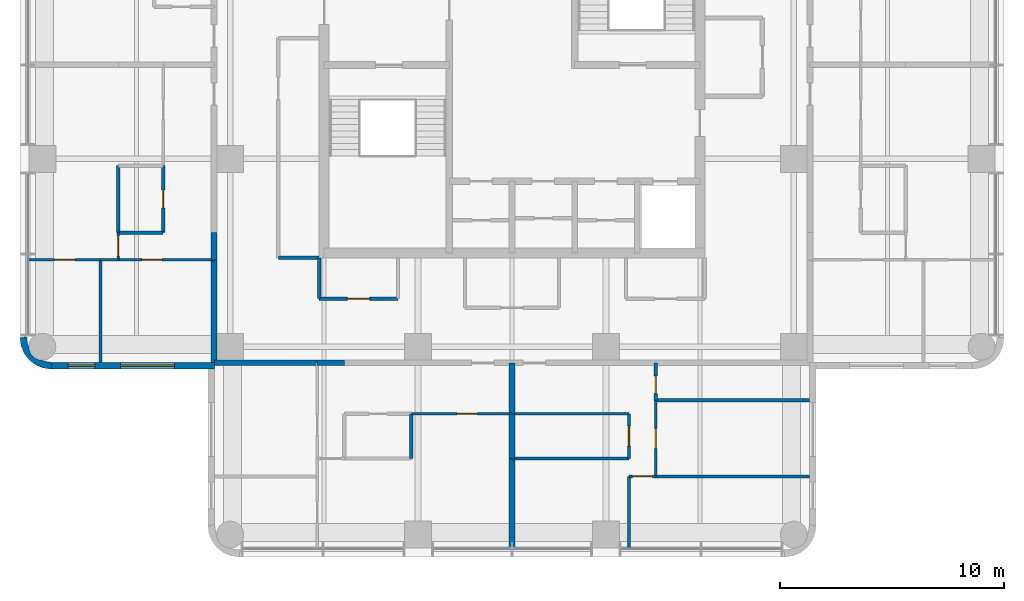
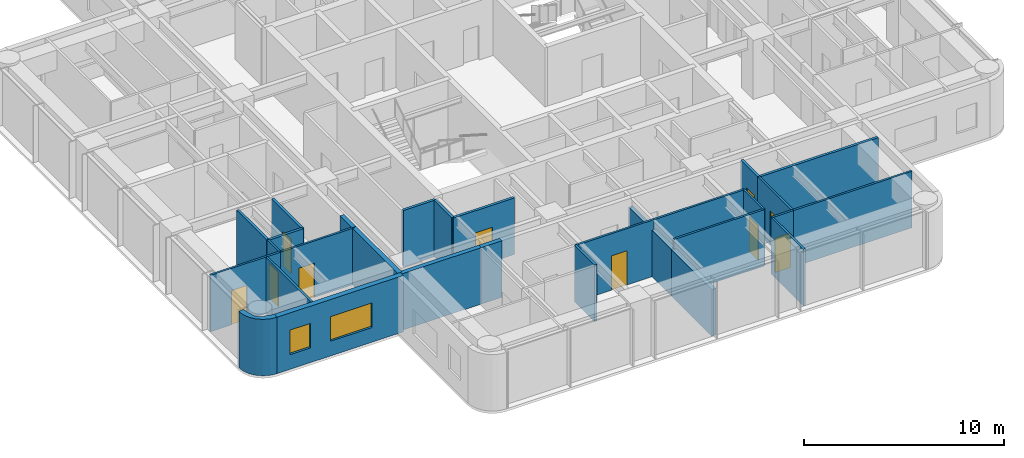
# One storey, part 4 of 10: 31 walls, 10 doors, 2 windows, 12 openings.
"""IFC4 building model written with IfcOpenShell, lengths in metres."""

from ifc_helpers import new_model, si_unit, direction, frame, frame_2d, origin, place, context, subcontext, project, spatial, polyline, rectangle, outline, extrude, material, layer, layer_set, type_object, element, fill, save


model = new_model("IFC4")

# Units and contexts
model_context = context("Model", 3, precision=1e-05, world=origin(), true_north=direction((0.0, 1.0)))
body_context = subcontext(model_context, "Body", "Model", "MODEL_VIEW")
ifc_project = project(units=[si_unit("LENGTHUNIT", "METRE"), si_unit("AREAUNIT", "SQUARE_METRE"), si_unit("VOLUMEUNIT", "CUBIC_METRE"), si_unit("PLANEANGLEUNIT", "RADIAN"), si_unit("MASSUNIT", "GRAM", prefix="KILO")], contexts=[model_context])

# Site, building, storey
site_placement = place(None, origin())
site = spatial("IfcSite", under=ifc_project, at=site_placement, CompositionType="ELEMENT")
building_placement = place(site_placement, origin())
building = spatial("IfcBuilding", under=site, at=building_placement, Name="Torre Alcanfor", CompositionType="ELEMENT")
storey_placement = place(building_placement, frame((0.0, 0.0, 290.10009765625)))
storey = spatial("IfcBuildingStorey", under=building, at=storey_placement, Name="L76", CompositionType="ELEMENT", Elevation=290.10009765625)

# Walls
ifc_material_1 = material(Name="Concrete block masonry, hollow blocks NMX-C-404 9 MPa", Category="masonry")
ifc_layer_1 = layer(ifc_material_1, 0.25)
ifc_layer_set_1 = layer_set([ifc_layer_1], Name="Apartment entrance wall 250 EI 60")
wall_type_1 = type_object("IfcWallType", Name="Apartment entrance wall 250 EI 60", PredefinedType="PARTITIONING", material=ifc_layer_set_1)
wall_1_placement = place(storey_placement, frame((21.89990234375, 16.074951171875, 0.0), z_axis=(0.0, 0.0, 1.0), x_axis=(-1.0, 0.0, 0.0)))
element("IfcWall", 1, at=wall_1_placement, inside=storey, type_object=wall_type_1, Name="Partition L76-CORR / L76-S2-HALL", PredefinedType="PARTITIONING", context=body_context, shape_type="SweptSolid", body=[
    extrude(rectangle(XDim=1.2138671875, YDim=0.25, at=frame_2d((0.60693359375, 0.0))), origin(), (0.0, 0.0, 1.0), 3.449951171875),
])
wall_2_placement = place(storey_placement, frame((20.68603515625, 16.074951171875, 0.0), z_axis=(0.0, 0.0, 1.0), x_axis=(-1.0, 0.0, 0.0)))
element("IfcWall", 2, at=wall_2_placement, inside=storey, type_object=wall_type_1, Name="Partition L76-CORR / L76-S2-MASTER", PredefinedType="PARTITIONING", context=body_context, shape_type="SweptSolid", body=[
    extrude(rectangle(XDim=4.5859375, YDim=0.25, at=frame_2d((2.29296875, 0.0))), origin(), (0.0, 0.0, 1.0), 3.449951171875),
])
wall_3_placement = place(storey_placement, frame((16.074951171875, 20.68603515625, 0.0), z_axis=(0.0, 0.0, 1.0), x_axis=(0.0, 1.0, 0.0)))
element("IfcWall", 3, at=wall_3_placement, inside=storey, type_object=wall_type_1, Name="Partition L76-CORR / L76-W1-HALL", PredefinedType="PARTITIONING", context=body_context, shape_type="SweptSolid", body=[
    extrude(rectangle(XDim=1.2138671875, YDim=0.25, at=frame_2d((0.60693359375, 0.0))), origin(), (0.0, 0.0, 1.0), 3.449951171875),
])
wall_4_placement = place(storey_placement, frame((16.074951171875, 16.10009765625, 0.0), z_axis=(0.0, 0.0, 1.0), x_axis=(0.0, 1.0, 0.0)))
element("IfcWall", 4, at=wall_4_placement, inside=storey, type_object=wall_type_1, Name="Partition L76-CORR / L76-W1-MASTER", PredefinedType="PARTITIONING", context=body_context, shape_type="SweptSolid", body=[
    extrude(rectangle(XDim=4.5859375, YDim=0.25, at=frame_2d((2.29296875, 0.0))), origin(), (0.0, 0.0, 1.0), 3.449951171875),
])
ifc_material_2 = material(Name="Gypsum board on steel studs", Category="steel")
ifc_layer_2 = layer(ifc_material_2, 0.1201171875)
ifc_layer_set_2 = layer_set([ifc_layer_2], Name="Apartment partition 120")
wall_type_2 = type_object("IfcWallType", Name="Apartment partition 120", PredefinedType="PARTITIONING", material=ifc_layer_set_2)
wall_5_placement = place(storey_placement, frame((29.39990234375, 11.800048828125, 0.0), z_axis=(0.0, 0.0, 1.0), x_axis=(1.0, 0.0, 0.0)))
element("IfcWall", 5, at=wall_5_placement, inside=storey, type_object=wall_type_2, Name="Partition L76-S1-KITCHEN / L76-S1-LIVING", PredefinedType="PARTITIONING", context=body_context, shape_type="SweptSolid", body=[
    extrude(rectangle(XDim=5.22900390625, YDim=0.1201171875, at=frame_2d((2.614501953125, 0.0))), origin(), (0.0, 0.0, 1.0), 3.449951171875),
])

# Wall, opening, door
wall_6_placement = place(storey_placement, frame((34.62890625, 11.800048828125, 0.0), z_axis=(0.0, 0.0, 1.0), x_axis=(0.0, 1.0, 0.0)))
wall_6 = element("IfcWall", 6, at=wall_6_placement, inside=storey, type_object=wall_type_2, Name="Partition L76-S1-KITCHEN / L76-S1-LIVING", PredefinedType="PARTITIONING", context=body_context, shape_type="SweptSolid", body=[
    extrude(rectangle(XDim=2.0, YDim=0.1201171875, at=frame_2d((1.0, 0.0))), origin(), (0.0, 0.0, 1.0), 3.449951171875),
])
opening_1_placement = place(wall_6_placement, frame((0.550048828125, 0.0, 0.0)))
opening_1 = element("IfcOpeningElement", 7, at=opening_1_placement, cuts=wall_6, Name="Opening D-R1", PredefinedType="OPENING", context=body_context, shape_type="SweptSolid", body=[
    extrude(rectangle(XDim=0.89990234375, YDim=2.10009765625, at=frame_2d((0.449951171875, 1.050048828125))), frame((0.0, 0.070068359375, 0.0), z_axis=(0.0, -1.0, 0.0), x_axis=(1.0, 0.0, 0.0)), (0.0, 0.0, 1.0), 0.14013671875),
])
ifc_material_3 = material(Name="Timber", Category="wood")
door_type_1 = type_object("IfcDoorType", Name="Internal door 900x2100", OperationType="SINGLE_SWING_LEFT", PredefinedType="DOOR", material=ifc_material_3)
door_1_placement = place(opening_1_placement, origin())
door_1 = element("IfcDoor", 8, at=door_1_placement, inside=storey, type_object=door_type_1, Name="Door L76-S1 kitchen", OperationType="SINGLE_SWING_LEFT", OverallHeight=2.10009765625, OverallWidth=0.89990234375, PredefinedType="DOOR", context=body_context, shape_type="SweptSolid", body=[
    extrude(rectangle(XDim=0.89990234375, YDim=2.10009765625, at=frame_2d((0.449951171875, 1.050048828125))), frame((0.0, 0.02490234375, 0.0), z_axis=(0.0, -1.0, 0.0), x_axis=(1.0, 0.0, 0.0)), (0.0, 0.0, 1.0), 0.050048828125),
])
fill(opening_1, door_1)

# Wall
wall_7_placement = place(storey_placement, frame((34.62890625, 13.800048828125, 0.0), z_axis=(0.0, 0.0, 1.0), x_axis=(-1.0, 0.0, 0.0)))
element("IfcWall", 9, at=wall_7_placement, inside=storey, type_object=wall_type_2, Name="Partition L76-S1-KITCHEN / L76-S1-LIVING", PredefinedType="PARTITIONING", context=body_context, shape_type="SweptSolid", body=[
    extrude(rectangle(XDim=5.22900390625, YDim=0.1201171875, at=frame_2d((2.614501953125, 0.0))), origin(), (0.0, 0.0, 1.0), 3.449951171875),
])

# Wall, opening, door
wall_8_placement = place(storey_placement, frame((35.8291015625, 14.39990234375, 0.0), z_axis=(0.0, 0.0, 1.0), x_axis=(0.0, -1.0, 0.0)))
wall_8 = element("IfcWall", 10, at=wall_8_placement, inside=storey, type_object=wall_type_2, Name="Partition L76-S1-LIVING / L76-S1-STUDY", PredefinedType="PARTITIONING", context=body_context, shape_type="SweptSolid", body=[
    extrude(rectangle(XDim=3.39990234375, YDim=0.1201171875, at=frame_2d((1.699951171875, 0.0))), origin(), (0.0, 0.0, 1.0), 3.449951171875),
])
opening_2_placement = place(wall_8_placement, frame((1.25, 0.0, 0.0)))
opening_2 = element("IfcOpeningElement", 11, at=opening_2_placement, cuts=wall_8, Name="Opening D-R1", PredefinedType="OPENING", context=body_context, shape_type="SweptSolid", body=[
    extrude(rectangle(XDim=0.89990234375, YDim=2.10009765625, at=frame_2d((0.449951171875, 1.050048828125))), frame((0.0, 0.070068359375, 0.0), z_axis=(0.0, -1.0, 0.0), x_axis=(1.0, 0.0, 0.0)), (0.0, 0.0, 1.0), 0.14013671875),
])
door_2_placement = place(opening_2_placement, origin())
door_2 = element("IfcDoor", 12, at=door_2_placement, inside=storey, type_object=door_type_1, Name="Door L76-S1 study", OperationType="SINGLE_SWING_LEFT", OverallHeight=2.10009765625, OverallWidth=0.89990234375, PredefinedType="DOOR", context=body_context, shape_type="SweptSolid", body=[
    extrude(rectangle(XDim=0.89990234375, YDim=2.10009765625, at=frame_2d((0.449951171875, 1.050048828125))), frame((0.0, 0.02490234375, 0.0), z_axis=(0.0, -1.0, 0.0), x_axis=(1.0, 0.0, 0.0)), (0.0, 0.0, 1.0), 0.050048828125),
])
fill(opening_2, door_2)

wall_9_placement = place(storey_placement, frame((35.8291015625, 11.0, 0.0), z_axis=(0.0, 0.0, 1.0), x_axis=(-1.0, 0.0, 0.0)))
wall_9 = element("IfcWall", 13, at=wall_9_placement, inside=storey, type_object=wall_type_2, Name="Partition L76-S1-LIVING / L76-S1-MASTER", PredefinedType="PARTITIONING", context=body_context, shape_type="SweptSolid", body=[
    extrude(rectangle(XDim=1.2001953125, YDim=0.1201171875, at=frame_2d((0.60009765625, 0.0))), origin(), (0.0, 0.0, 1.0), 3.449951171875),
])
opening_3_placement = place(wall_9_placement, frame((0.14892578125, 0.0, 0.0)))
opening_3 = element("IfcOpeningElement", 14, at=opening_3_placement, cuts=wall_9, Name="Opening D-R1", PredefinedType="OPENING", context=body_context, shape_type="SweptSolid", body=[
    extrude(rectangle(XDim=0.89990234375, YDim=2.10009765625, at=frame_2d((0.449951171875, 1.050048828125))), frame((0.0, 0.070068359375, 0.0), z_axis=(0.0, -1.0, 0.0), x_axis=(1.0, 0.0, 0.0)), (0.0, 0.0, 1.0), 0.14013671875),
])
door_3_placement = place(opening_3_placement, origin())
door_3 = element("IfcDoor", 15, at=door_3_placement, inside=storey, type_object=door_type_1, Name="Door L76-S1 master", OperationType="SINGLE_SWING_RIGHT", OverallHeight=2.10009765625, OverallWidth=0.89990234375, PredefinedType="DOOR", context=body_context, shape_type="SweptSolid", body=[
    extrude(rectangle(XDim=0.89990234375, YDim=2.10009765625, at=frame_2d((0.449951171875, 1.050048828125))), frame((0.0, 0.02490234375, 0.0), z_axis=(0.0, -1.0, 0.0), x_axis=(1.0, 0.0, 0.0)), (0.0, 0.0, 1.0), 0.050048828125),
])
fill(opening_3, door_3)

# Walls
wall_10_placement = place(storey_placement, frame((34.62890625, 11.0, 0.0), z_axis=(0.0, 0.0, 1.0), x_axis=(0.0, -1.0, 0.0)))
element("IfcWall", 16, at=wall_10_placement, inside=storey, type_object=wall_type_2, Name="Partition L76-S1-LIVING / L76-S1-MASTER", PredefinedType="PARTITIONING", context=body_context, shape_type="SweptSolid", body=[
    extrude(rectangle(XDim=3.25, YDim=0.1201171875, at=frame_2d((1.625, 0.0))), origin(), (0.0, 0.0, 1.0), 3.449951171875),
])
wall_11_placement = place(storey_placement, frame((35.8291015625, 11.0, 0.0), z_axis=(0.0, 0.0, 1.0), x_axis=(1.0, 0.0, 0.0)))
element("IfcWall", 17, at=wall_11_placement, inside=storey, type_object=wall_type_2, Name="Partition L76-S1-STUDY / L76-S1-MASTER", PredefinedType="PARTITIONING", context=body_context, shape_type="SweptSolid", body=[
    extrude(rectangle(XDim=6.870849609375, YDim=0.1201171875, at=frame_2d((3.435546875, 0.0))), origin(), (0.0, 0.0, 1.0), 3.449951171875),
])

# Wall, opening, door
wall_12_placement = place(storey_placement, frame((29.39990234375, 13.800048828125, 0.0), z_axis=(0.0, 0.0, 1.0), x_axis=(-1.0, 0.0, 0.0)))
wall_12 = element("IfcWall", 18, at=wall_12_placement, inside=storey, type_object=wall_type_2, Name="Partition L76-S2-ZAG / L76-S2-KITCHEN", PredefinedType="PARTITIONING", context=body_context, shape_type="SweptSolid", body=[
    extrude(rectangle(XDim=4.5, YDim=0.1201171875, at=frame_2d((2.25, 0.0))), origin(), (0.0, 0.0, 1.0), 3.449951171875),
])
opening_4_placement = place(wall_12_placement, frame((1.550048828125, 0.0, 0.0)))
opening_4 = element("IfcOpeningElement", 19, at=opening_4_placement, cuts=wall_12, Name="Opening D-R1", PredefinedType="OPENING", context=body_context, shape_type="SweptSolid", body=[
    extrude(rectangle(XDim=0.89990234375, YDim=2.10009765625, at=frame_2d((0.449951171875, 1.050048828125))), frame((0.0, 0.070068359375, 0.0), z_axis=(0.0, -1.0, 0.0), x_axis=(1.0, 0.0, 0.0)), (0.0, 0.0, 1.0), 0.14013671875),
])
door_4_placement = place(opening_4_placement, origin())
door_4 = element("IfcDoor", 20, at=door_4_placement, inside=storey, type_object=door_type_1, Name="Door L76-S2 kitchen", OperationType="SINGLE_SWING_LEFT", OverallHeight=2.10009765625, OverallWidth=0.89990234375, PredefinedType="DOOR", context=body_context, shape_type="SweptSolid", body=[
    extrude(rectangle(XDim=0.89990234375, YDim=2.10009765625, at=frame_2d((0.449951171875, 1.050048828125))), frame((0.0, 0.02490234375, 0.0), z_axis=(0.0, -1.0, 0.0), x_axis=(1.0, 0.0, 0.0)), (0.0, 0.0, 1.0), 0.050048828125),
])
fill(opening_4, door_4)

wall_13_placement = place(storey_placement, frame((11.800048828125, 21.89990234375, 0.0), z_axis=(0.0, 0.0, 1.0), x_axis=(0.0, -1.0, 0.0)))
wall_13 = element("IfcWall", 21, at=wall_13_placement, inside=storey, type_object=wall_type_2, Name="Partition L76-W1-HALL / L76-W1-LIVING", PredefinedType="PARTITIONING", context=body_context, shape_type="SweptSolid", body=[
    extrude(rectangle(XDim=1.2138671875, YDim=0.1201171875, at=frame_2d((0.60693359375, 0.0))), origin(), (0.0, 0.0, 1.0), 3.449951171875),
])
opening_5_placement = place(wall_13_placement, frame((0.14990234375, 0.0, 0.0)))
opening_5 = element("IfcOpeningElement", 22, at=opening_5_placement, cuts=wall_13, Name="Opening D-R1", PredefinedType="OPENING", context=body_context, shape_type="SweptSolid", body=[
    extrude(rectangle(XDim=0.89990234375, YDim=2.10009765625, at=frame_2d((0.449951171875, 1.050048828125))), frame((0.0, 0.070068359375, 0.0), z_axis=(0.0, -1.0, 0.0), x_axis=(1.0, 0.0, 0.0)), (0.0, 0.0, 1.0), 0.14013671875),
])
door_5_placement = place(opening_5_placement, frame((0.89990234375, 0.0, 0.0), z_axis=(0.0, 0.0, 1.0), x_axis=(-1.0, 0.0, 0.0)))
door_5 = element("IfcDoor", 23, at=door_5_placement, inside=storey, type_object=door_type_1, Name="Door L76-W1 living", OperationType="SINGLE_SWING_LEFT", OverallHeight=2.10009765625, OverallWidth=0.89990234375, PredefinedType="DOOR", context=body_context, shape_type="SweptSolid", body=[
    extrude(rectangle(XDim=0.89990234375, YDim=2.10009765625, at=frame_2d((0.449951171875, 1.050048828125))), frame((0.0, 0.025146484375, 0.0), z_axis=(0.0, -1.0, 0.0), x_axis=(1.0, 0.0, 0.0)), (0.0, 0.0, 1.0), 0.050048828125),
])
fill(opening_5, door_5)

wall_14_placement = place(storey_placement, frame((11.800048828125, 20.68603515625, 0.0), z_axis=(0.0, 0.0, 1.0), x_axis=(1.0, 0.0, 0.0)))
wall_14 = element("IfcWall", 24, at=wall_14_placement, inside=storey, type_object=wall_type_2, Name="Partition L76-W1-HALL / L76-W1-MASTER", PredefinedType="PARTITIONING", context=body_context, shape_type="SweptSolid", body=[
    extrude(rectangle(XDim=4.27490234375, YDim=0.1201171875, at=frame_2d((2.137451171875, 0.0))), origin(), (0.0, 0.0, 1.0), 3.449951171875),
])
opening_6_placement = place(wall_14_placement, frame((1.050048828125, 0.0, 0.0)))
opening_6 = element("IfcOpeningElement", 25, at=opening_6_placement, cuts=wall_14, Name="Opening D-R1", PredefinedType="OPENING", context=body_context, shape_type="SweptSolid", body=[
    extrude(rectangle(XDim=0.89990234375, YDim=2.10009765625, at=frame_2d((0.449951171875, 1.050048828125))), frame((0.0, 0.070068359375, 0.0), z_axis=(0.0, -1.0, 0.0), x_axis=(1.0, 0.0, 0.0)), (0.0, 0.0, 1.0), 0.14013671875),
])
door_6_placement = place(opening_6_placement, frame((0.89990234375, 0.0, 0.0), z_axis=(0.0, 0.0, 1.0), x_axis=(-1.0, 0.0, 0.0)))
door_6 = element("IfcDoor", 26, at=door_6_placement, inside=storey, type_object=door_type_1, Name="Door L76-W1 master", OperationType="SINGLE_SWING_RIGHT", OverallHeight=2.10009765625, OverallWidth=0.89990234375, PredefinedType="DOOR", context=body_context, shape_type="SweptSolid", body=[
    extrude(rectangle(XDim=0.89990234375, YDim=2.10009765625, at=frame_2d((0.449951171875, 1.050048828125))), frame((0.0, 0.025146484375, 0.0), z_axis=(0.0, -1.0, 0.0), x_axis=(1.0, 0.0, 0.0)), (0.0, 0.0, 1.0), 0.050048828125),
])
fill(opening_6, door_6)

# Wall
wall_15_placement = place(storey_placement, frame((11.0, 20.68603515625, 0.0), z_axis=(0.0, 0.0, 1.0), x_axis=(1.0, 0.0, 0.0)))
element("IfcWall", 27, at=wall_15_placement, inside=storey, type_object=wall_type_2, Name="Partition L76-W1-LIVING / L76-W1-MASTER", PredefinedType="PARTITIONING", context=body_context, shape_type="SweptSolid", body=[
    extrude(rectangle(XDim=0.800048828125, YDim=0.1201171875, at=frame_2d((0.39990234375, 0.0))), origin(), (0.0, 0.0, 1.0), 3.449951171875),
])

# Wall, opening, door
wall_16_placement = place(storey_placement, frame((7.75, 20.68603515625, 0.0), z_axis=(0.0, 0.0, 1.0), x_axis=(1.0, 0.0, 0.0)))
wall_16 = element("IfcWall", 28, at=wall_16_placement, inside=storey, type_object=wall_type_2, Name="Partition L76-W1-LIVING / L76-W1-BED2", PredefinedType="PARTITIONING", context=body_context, shape_type="SweptSolid", body=[
    extrude(rectangle(XDim=3.25, YDim=0.1201171875, at=frame_2d((1.625, 0.0))), origin(), (0.0, 0.0, 1.0), 3.449951171875),
])
opening_7_placement = place(wall_16_placement, frame((1.199951171875, 0.0, 0.0)))
opening_7 = element("IfcOpeningElement", 29, at=opening_7_placement, cuts=wall_16, Name="Opening D-R1", PredefinedType="OPENING", context=body_context, shape_type="SweptSolid", body=[
    extrude(rectangle(XDim=0.89990234375, YDim=2.10009765625, at=frame_2d((0.449951171875, 1.050048828125))), frame((0.0, 0.070068359375, 0.0), z_axis=(0.0, -1.0, 0.0), x_axis=(1.0, 0.0, 0.0)), (0.0, 0.0, 1.0), 0.14013671875),
])
door_7_placement = place(opening_7_placement, frame((0.89990234375, 0.0, 0.0), z_axis=(0.0, 0.0, 1.0), x_axis=(-1.0, 0.0, 0.0)))
door_7 = element("IfcDoor", 30, at=door_7_placement, inside=storey, type_object=door_type_1, Name="Door L76-W1 bed2", OperationType="SINGLE_SWING_LEFT", OverallHeight=2.10009765625, OverallWidth=0.89990234375, PredefinedType="DOOR", context=body_context, shape_type="SweptSolid", body=[
    extrude(rectangle(XDim=0.89990234375, YDim=2.10009765625, at=frame_2d((0.449951171875, 1.050048828125))), frame((0.0, 0.025146484375, 0.0), z_axis=(0.0, -1.0, 0.0), x_axis=(1.0, 0.0, 0.0)), (0.0, 0.0, 1.0), 0.050048828125),
])
fill(opening_7, door_7)

# Wall
wall_17_placement = place(storey_placement, frame((11.0, 20.68603515625, 0.0), z_axis=(0.0, 0.0, 1.0), x_axis=(0.0, -1.0, 0.0)))
element("IfcWall", 31, at=wall_17_placement, inside=storey, type_object=wall_type_2, Name="Partition L76-W1-MASTER / L76-W1-BED2", PredefinedType="PARTITIONING", context=body_context, shape_type="SweptSolid", body=[
    extrude(rectangle(XDim=4.5859375, YDim=0.1201171875, at=frame_2d((2.29296875, 0.0))), origin(), (0.0, 0.0, 1.0), 3.449951171875),
])

# Wall, openings, windows
ifc_material_4 = material(Name="Limestone cladding", Category="masonry")
ifc_layer_3 = layer(ifc_material_4, 0.0400390625, Name="Facing")
ifc_material_5 = material(Name="Ventilated air cavity")
ifc_layer_4 = layer(ifc_material_5, 0.02001953125, ventilated=True, Name="Ventilated joint")
ifc_material_6 = material(Name="Mineral wool insulation", Category="insulation")
ifc_layer_5 = layer(ifc_material_6, 0.10009765625, Name="Insulation")
ifc_material_7 = material(Name="Concrete f'c 35 MPa", Category="concrete")
ifc_layer_6 = layer(ifc_material_7, 0.139892578125, Name="Backing")
ifc_layer_set_3 = layer_set([ifc_layer_3, ifc_layer_4, ifc_layer_5, ifc_layer_6], Name="External wall stone-clad 300")
wall_type_3 = type_object("IfcWallType", Name="External wall stone-clad 300", PredefinedType="SOLIDWALL", material=ifc_layer_set_3)
wall_18_placement = place(storey_placement, frame((8.800048828125, 15.949951171875, 0.0), z_axis=(0.0, 0.0, 1.0), x_axis=(1.0, 0.0, 0.0)))
wall_18 = element("IfcWall", 32, at=wall_18_placement, inside=storey, type_object=wall_type_3, Name="External wall L76 3", PredefinedType="SOLIDWALL", context=body_context, shape_type="SweptSolid", body=[
    extrude(rectangle(XDim=7.300048828125, YDim=0.300048828125, at=frame_2d((3.64990234375, 0.0))), origin(), (0.0, 0.0, 1.0), 3.449951171875),
])
opening_8_placement = place(wall_18_placement, frame((3.10009765625, 0.0, 0.89990234375)))
opening_8 = element("IfcOpeningElement", 33, at=opening_8_placement, cuts=wall_18, Name="Opening W1", PredefinedType="OPENING", context=body_context, shape_type="SweptSolid", body=[
    extrude(rectangle(XDim=2.39990234375, YDim=1.5, at=frame_2d((1.199951171875, 0.75))), frame((0.0, 0.159912109375, 0.0), z_axis=(0.0, -1.0, 0.0), x_axis=(1.0, 0.0, 0.0)), (0.0, 0.0, 1.0), 0.320068359375),
])
opening_9_placement = place(wall_18_placement, frame((0.75, 0.0, 0.89990234375)))
opening_9 = element("IfcOpeningElement", 34, at=opening_9_placement, cuts=wall_18, Name="Opening W4", PredefinedType="OPENING", context=body_context, shape_type="SweptSolid", body=[
    extrude(rectangle(XDim=1.199951171875, YDim=1.5, at=frame_2d((0.60009765625, 0.75))), frame((0.0, 0.159912109375, 0.0), z_axis=(0.0, -1.0, 0.0), x_axis=(1.0, 0.0, 0.0)), (0.0, 0.0, 1.0), 0.320068359375),
])
ifc_material_8 = material(Name="Aluminium frame with clear double glazing", Category="aluminium")
window_type_1 = type_object("IfcWindowType", Name="Window bedroom 1200x1500", PartitioningType="SINGLE_PANEL", PredefinedType="WINDOW", material=ifc_material_8)
window_1_placement = place(opening_9_placement, origin())
window_1 = element("IfcWindow", 35, at=window_1_placement, inside=storey, type_object=window_type_1, Name="Window W4 L76-W1", OverallHeight=1.5, OverallWidth=1.199951171875, PartitioningType="SINGLE_PANEL", PredefinedType="WINDOW", context=body_context, shape_type="SweptSolid", body=[
    extrude(rectangle(XDim=1.199951171875, YDim=1.5, at=frame_2d((0.60009765625, 0.75))), frame((0.0, 0.030029296875, 0.0), z_axis=(0.0, -1.0, 0.0), x_axis=(1.0, 0.0, 0.0)), (0.0, 0.0, 1.0), 0.06005859375),
])
fill(opening_9, window_1)
ifc_material_9 = material(Name="Aluminium frame with clear double glazing", Category="aluminium")
window_type_2 = type_object("IfcWindowType", Name="Window bedroom 2400x1500", PartitioningType="SINGLE_PANEL", PredefinedType="WINDOW", material=ifc_material_9)
window_2_placement = place(opening_8_placement, origin())
window_2 = element("IfcWindow", 36, at=window_2_placement, inside=storey, type_object=window_type_2, Name="Window W1 L76-W1", OverallHeight=1.5, OverallWidth=2.39990234375, PartitioningType="SINGLE_PANEL", PredefinedType="WINDOW", context=body_context, shape_type="SweptSolid", body=[
    extrude(rectangle(XDim=2.39990234375, YDim=1.5, at=frame_2d((1.199951171875, 0.75))), frame((0.0, 0.030029296875, 0.0), z_axis=(0.0, -1.0, 0.0), x_axis=(1.0, 0.0, 0.0)), (0.0, 0.0, 1.0), 0.06005859375),
])
fill(opening_8, window_2)

# Walls
ifc_material_10 = material(Name="Concrete block masonry, hollow blocks NMX-C-404 9 MPa", Category="masonry")
ifc_layer_7 = layer(ifc_material_10, 0.25)
ifc_layer_set_4 = layer_set([ifc_layer_7], Name="Party wall 250 EI 60")
wall_type_4 = type_object("IfcWallType", Name="Party wall 250 EI 60", PredefinedType="PARTITIONING", material=ifc_layer_set_4)
wall_19_placement = place(storey_placement, frame((29.39990234375, 13.800048828125, 0.0), z_axis=(0.0, 0.0, 1.0), x_axis=(0.0, -1.0, 0.0)))
element("IfcWall", 37, at=wall_19_placement, inside=storey, type_object=wall_type_4, Name="Partition L76-S1-KITCHEN / L76-S2-KITCHEN", PredefinedType="PARTITIONING", context=body_context, shape_type="SweptSolid", body=[
    extrude(rectangle(XDim=2.0, YDim=0.25, at=frame_2d((1.0, 0.0))), origin(), (0.0, 0.0, 1.0), 2.847900390625),
])
wall_20_placement = place(storey_placement, frame((29.39990234375, 13.800048828125, 0.0), z_axis=(0.0, 0.0, 1.0), x_axis=(0.0, 1.0, 0.0)))
element("IfcWall", 38, at=wall_20_placement, inside=storey, type_object=wall_type_4, Name="Partition L76-S1-LIVING / L76-S2-ZAG", PredefinedType="PARTITIONING", context=body_context, shape_type="SweptSolid", body=[
    extrude(rectangle(XDim=2.27490234375, YDim=0.25, at=frame_2d((1.137451171875, 0.0))), origin(), (0.0, 0.0, 1.0), 2.847900390625),
])
wall_21_placement = place(storey_placement, frame((29.39990234375, 7.75, 0.0), z_axis=(0.0, 0.0, 1.0), x_axis=(0.0, 1.0, 0.0)))
element("IfcWall", 39, at=wall_21_placement, inside=storey, type_object=wall_type_4, Name="Partition L76-S1-LIVING / L76-S2-LIVING", PredefinedType="PARTITIONING", context=body_context, shape_type="SweptSolid", body=[
    extrude(rectangle(XDim=4.050048828125, YDim=0.25, at=frame_2d((2.02490234375, 0.0))), origin(), (0.0, 0.0, 1.0), 2.847900390625),
])
ifc_material_11 = material(Name="Concrete block masonry, hollow blocks NMX-C-404 9 MPa", Category="masonry")
ifc_layer_8 = layer(ifc_material_11, 0.14990234375)
ifc_layer_set_5 = layer_set([ifc_layer_8], Name="Residents' room partition 150")
wall_type_5 = type_object("IfcWallType", Name="Residents' room partition 150", PredefinedType="PARTITIONING", material=ifc_layer_set_5)
wall_22_placement = place(storey_placement, frame((20.77490234375, 20.77490234375, 0.0), z_axis=(0.0, 0.0, 1.0), x_axis=(0.0, -1.0, 0.0)))
element("IfcWall", 40, at=wall_22_placement, inside=storey, type_object=wall_type_5, Name="Partition L76-CORR / L76-G05", PredefinedType="PARTITIONING", context=body_context, shape_type="SweptSolid", body=[
    extrude(rectangle(XDim=1.824951171875, YDim=0.14990234375, at=frame_2d((0.91259765625, 0.0))), origin(), (0.0, 0.0, 1.0), 3.449951171875),
])

# Wall, opening, door
wall_23_placement = place(storey_placement, frame((20.77490234375, 18.949951171875, 0.0), z_axis=(0.0, 0.0, 1.0), x_axis=(1.0, 0.0, 0.0)))
wall_23 = element("IfcWall", 41, at=wall_23_placement, inside=storey, type_object=wall_type_5, Name="Partition L76-CORR / L76-G05", PredefinedType="PARTITIONING", context=body_context, shape_type="SweptSolid", body=[
    extrude(rectangle(XDim=3.525146484375, YDim=0.14990234375, at=frame_2d((1.7626953125, 0.0))), origin(), (0.0, 0.0, 1.0), 3.449951171875),
])
opening_10_placement = place(wall_23_placement, frame((1.262451171875, 0.0, 0.0)))
opening_10 = element("IfcOpeningElement", 42, at=opening_10_placement, cuts=wall_23, Name="Opening D-M1", PredefinedType="OPENING", context=body_context, shape_type="SweptSolid", body=[
    extrude(rectangle(XDim=1.0, YDim=2.10009765625, at=frame_2d((0.5, 1.050048828125))), frame((0.0, 0.0849609375, 0.0), z_axis=(0.0, -1.0, 0.0), x_axis=(1.0, 0.0, 0.0)), (0.0, 0.0, 1.0), 0.169921875),
])
ifc_material_12 = material(Name="Timber", Category="wood")
door_type_2 = type_object("IfcDoorType", Name="Residents' room door 1000x2100", OperationType="SINGLE_SWING_LEFT", PredefinedType="DOOR", material=ifc_material_12)
door_8_placement = place(opening_10_placement, origin())
door_8 = element("IfcDoor", 43, at=door_8_placement, inside=storey, type_object=door_type_2, Name="Door L76-G05 cleaners' store", OperationType="SINGLE_SWING_LEFT", OverallHeight=2.10009765625, OverallWidth=1.0, PredefinedType="DOOR", context=body_context, shape_type="SweptSolid", body=[
    extrude(rectangle(XDim=1.0, YDim=2.10009765625, at=frame_2d((0.5, 1.050048828125))), frame((0.0, 0.02490234375, 0.0), z_axis=(0.0, -1.0, 0.0), x_axis=(1.0, 0.0, 0.0)), (0.0, 0.0, 1.0), 0.050048828125),
])
fill(opening_10, door_8)

# Walls
wall_24_placement = place(storey_placement, frame((18.949951171875, 20.77490234375, 0.0), z_axis=(0.0, 0.0, 1.0), x_axis=(1.0, 0.0, 0.0)))
element("IfcWall", 44, at=wall_24_placement, inside=storey, type_object=wall_type_5, Name="Partition L76-CORR / L76-G08", PredefinedType="PARTITIONING", context=body_context, shape_type="SweptSolid", body=[
    extrude(rectangle(XDim=1.824951171875, YDim=0.14990234375, at=frame_2d((0.91259765625, 0.0))), origin(), (0.0, 0.0, 1.0), 3.449951171875),
])
ifc_layer_9 = layer(ifc_material_4, 0.0400390625, Name="Facing")
ifc_layer_10 = layer(ifc_material_5, 0.02001953125, ventilated=True, Name="Ventilated joint")
ifc_layer_11 = layer(ifc_material_6, 0.10009765625, Name="Insulation")
ifc_layer_12 = layer(ifc_material_7, 0.139892578125, Name="Backing")
ifc_layer_set_6 = layer_set([ifc_layer_9, ifc_layer_10, ifc_layer_11, ifc_layer_12], Name="Rounded corner pier stone-clad 300")
wall_type_6 = type_object("IfcWallType", Name="Rounded corner pier stone-clad 300", PredefinedType="SOLIDWALL", material=ifc_layer_set_6)
wall_25_placement = place(storey_placement, frame((7.824101883, 17.161581746, 0.0), z_axis=(0.0, 0.0, 1.0), x_axis=(-0.707106781187, -0.707106781187, 0.0)))
element("IfcWall", 45, at=wall_25_placement, inside=storey, type_object=wall_type_6, Name="Corner pier L76 14", PredefinedType="SOLIDWALL", context=body_context, shape_type="SweptSolid", body=[
    extrude(outline(polyline([(0.04667321568762184, 1.4544919802800873), (0.23311738650829356, 1.2117692912302127), (0.29215804060150635, 1.069174027250699), (0.3579314008632433, 1.0034006669889621), (0.4494271513585729, 0.7824297978681659), (0.4494271513585729, 0.5431597786483039), (0.35793140086324327, 0.322534176510509), (0.2921580406015063, 0.256760816248772), (0.23311738650829356, 0.11416555226925829), (0.046673215687621845, -0.12890240376361745), (0.032689902876071465, -0.14288571657516783), (0.2728230895534366, -0.32708565200633144), (0.4951750266062377, -0.037061386285286546), (0.6350081547217414, 0.30060972308993), (0.6826549983759133, 0.6627947882582349), (0.6350081547217414, 1.025325120409541), (0.49517502660623774, 1.3629962297847575), (0.27265045606193605, 1.652847862014302), (0.03251726938457078, 1.4686479265831383), (0.04667321568762184, 1.4544919802800873)])), origin(), (0.0, 0.0, 1.0), 3.449951171875),
])

# Wall, opening, door
ifc_material_13 = material(Name="Cement board on steel studs", Category="steel")
ifc_layer_13 = layer(ifc_material_13, 0.14990234375)
ifc_layer_set_7 = layer_set([ifc_layer_13], Name="Wet area partition 150")
wall_type_7 = type_object("IfcWallType", Name="Wet area partition 150", PredefinedType="PARTITIONING", material=ifc_layer_set_7)
wall_26_placement = place(storey_placement, frame((35.8291015625, 16.074951171875, 0.0), z_axis=(0.0, 0.0, 1.0), x_axis=(0.0, -1.0, 0.0)))
wall_26 = element("IfcWall", 46, at=wall_26_placement, inside=storey, type_object=wall_type_7, Name="Partition L76-S1-LIVING / L76-S1-BATH", PredefinedType="PARTITIONING", context=body_context, shape_type="SweptSolid", body=[
    extrude(rectangle(XDim=1.675048828125, YDim=0.14990234375, at=frame_2d((0.83740234375, 0.0))), origin(), (0.0, 0.0, 1.0), 3.449951171875),
])
opening_11_placement = place(wall_26_placement, frame((0.574951171875, 0.0, 0.0)))
opening_11 = element("IfcOpeningElement", 47, at=opening_11_placement, cuts=wall_26, Name="Opening D-R2", PredefinedType="OPENING", context=body_context, shape_type="SweptSolid", body=[
    extrude(rectangle(XDim=0.800048828125, YDim=2.10009765625, at=frame_2d((0.39990234375, 1.050048828125))), frame((0.0, 0.0849609375, 0.0), z_axis=(0.0, -1.0, 0.0), x_axis=(1.0, 0.0, 0.0)), (0.0, 0.0, 1.0), 0.169921875),
])
ifc_material_14 = material(Name="Timber", Category="wood")
door_type_3 = type_object("IfcDoorType", Name="Bathroom door 800x2100", OperationType="SINGLE_SWING_LEFT", PredefinedType="DOOR", material=ifc_material_14)
door_9_placement = place(opening_11_placement, origin())
door_9 = element("IfcDoor", 48, at=door_9_placement, inside=storey, type_object=door_type_3, Name="Door L76-S1 bath", OperationType="SINGLE_SWING_RIGHT", OverallHeight=2.10009765625, OverallWidth=0.800048828125, PredefinedType="DOOR", context=body_context, shape_type="SweptSolid", body=[
    extrude(rectangle(XDim=0.800048828125, YDim=2.10009765625, at=frame_2d((0.39990234375, 1.050048828125))), frame((0.0, 0.02490234375, 0.0), z_axis=(0.0, -1.0, 0.0), x_axis=(1.0, 0.0, 0.0)), (0.0, 0.0, 1.0), 0.050048828125),
])
fill(opening_11, door_9)

# Walls
wall_27_placement = place(storey_placement, frame((35.8291015625, 14.39990234375, 0.0), z_axis=(0.0, 0.0, 1.0), x_axis=(1.0, 0.0, 0.0)))
element("IfcWall", 49, at=wall_27_placement, inside=storey, type_object=wall_type_7, Name="Partition L76-S1-BATH / L76-S1-STUDY", PredefinedType="PARTITIONING", context=body_context, shape_type="SweptSolid", body=[
    extrude(rectangle(XDim=6.870849609375, YDim=0.14990234375, at=frame_2d((3.435546875, 0.0))), origin(), (0.0, 0.0, 1.0), 3.449951171875),
])
wall_28_placement = place(storey_placement, frame((24.89990234375, 11.800048828125, 0.0), z_axis=(0.0, 0.0, 1.0), x_axis=(0.0, 1.0, 0.0)))
element("IfcWall", 50, at=wall_28_placement, inside=storey, type_object=wall_type_7, Name="Partition L76-S2-KITCHEN / L76-S2-BATH", PredefinedType="PARTITIONING", context=body_context, shape_type="SweptSolid", body=[
    extrude(rectangle(XDim=2.0, YDim=0.14990234375, at=frame_2d((1.0, 0.0))), origin(), (0.0, 0.0, 1.0), 3.449951171875),
])

# Wall, opening, door
wall_29_placement = place(storey_placement, frame((13.800048828125, 24.89990234375, 0.0), z_axis=(0.0, 0.0, 1.0), x_axis=(0.0, -1.0, 0.0)))
wall_29 = element("IfcWall", 51, at=wall_29_placement, inside=storey, type_object=wall_type_7, Name="Partition L76-W1-ZAG / L76-W1-BATH", PredefinedType="PARTITIONING", context=body_context, shape_type="SweptSolid", body=[
    extrude(rectangle(XDim=3.0, YDim=0.14990234375, at=frame_2d((1.5, 0.0))), origin(), (0.0, 0.0, 1.0), 3.449951171875),
])
opening_12_placement = place(wall_29_placement, frame((1.10009765625, 0.0, 0.0)))
opening_12 = element("IfcOpeningElement", 52, at=opening_12_placement, cuts=wall_29, Name="Opening D-R2", PredefinedType="OPENING", context=body_context, shape_type="SweptSolid", body=[
    extrude(rectangle(XDim=0.800048828125, YDim=2.10009765625, at=frame_2d((0.39990234375, 1.050048828125))), frame((0.0, 0.0849609375, 0.0), z_axis=(0.0, -1.0, 0.0), x_axis=(1.0, 0.0, 0.0)), (0.0, 0.0, 1.0), 0.169921875),
])
door_10_placement = place(opening_12_placement, frame((0.800048828125, 0.0, 0.0), z_axis=(0.0, 0.0, 1.0), x_axis=(-1.0, 0.0, 0.0)))
door_10 = element("IfcDoor", 53, at=door_10_placement, inside=storey, type_object=door_type_3, Name="Door L76-W1 bath", OperationType="SINGLE_SWING_RIGHT", OverallHeight=2.10009765625, OverallWidth=0.800048828125, PredefinedType="DOOR", context=body_context, shape_type="SweptSolid", body=[
    extrude(rectangle(XDim=0.800048828125, YDim=2.10009765625, at=frame_2d((0.400146484375, 1.050048828125))), frame((0.0, 0.025146484375, 0.0), z_axis=(0.0, -1.0, 0.0), x_axis=(1.0, 0.0, 0.0)), (0.0, 0.0, 1.0), 0.050048828125),
])
fill(opening_12, door_10)

# Walls
wall_30_placement = place(storey_placement, frame((11.800048828125, 21.89990234375, 0.0), z_axis=(0.0, 0.0, 1.0), x_axis=(1.0, 0.0, 0.0)))
element("IfcWall", 54, at=wall_30_placement, inside=storey, type_object=wall_type_7, Name="Partition L76-W1-BATH / L76-W1-HALL", PredefinedType="PARTITIONING", context=body_context, shape_type="SweptSolid", body=[
    extrude(rectangle(XDim=2.0, YDim=0.14990234375, at=frame_2d((1.0, 0.0))), origin(), (0.0, 0.0, 1.0), 3.449951171875),
])
wall_31_placement = place(storey_placement, frame((11.800048828125, 24.89990234375, 0.0), z_axis=(0.0, 0.0, 1.0), x_axis=(0.0, -1.0, 0.0)))
element("IfcWall", 55, at=wall_31_placement, inside=storey, type_object=wall_type_7, Name="Partition L76-W1-BATH / L76-W1-LIVING", PredefinedType="PARTITIONING", context=body_context, shape_type="SweptSolid", body=[
    extrude(rectangle(XDim=3.0, YDim=0.14990234375, at=frame_2d((1.5, 0.0))), origin(), (0.0, 0.0, 1.0), 3.449951171875),
])

save(model, "model.ifc")
